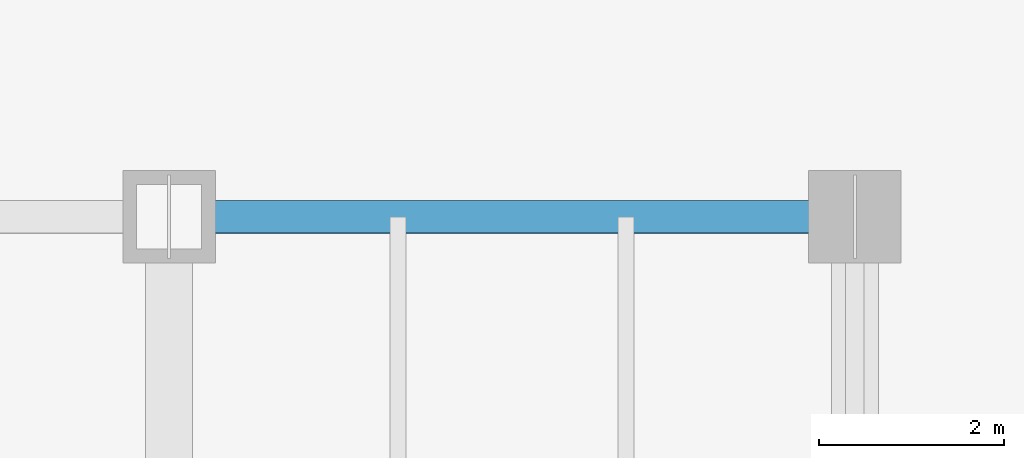
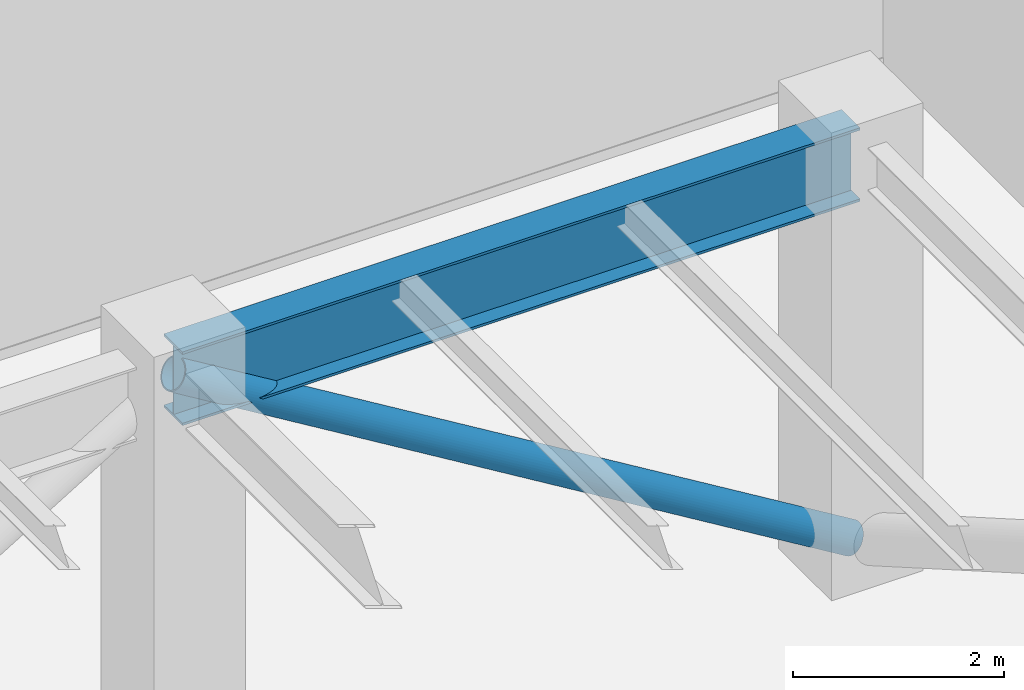
# One storey, part 21 of 38: 1 beam, 1 member.
"""IFC4 building model written with IfcOpenShell, lengths in metres."""

from ifc_helpers import new_model, si_unit, direction, frame, origin, origin_2d, place, context, subcontext, project, spatial, hollow_circle, i_section, extrude, source, transform, mapped, material, material_profile, profile_set, type_object, type_shapes, element, save


model = new_model("IFC4")

# Units and contexts
model_context = context("Model", 3, precision=1e-05, world=origin(), true_north=direction((0.0, 1.0)))
body_context = subcontext(model_context, "Body", "Model", "MODEL_VIEW")
ifc_project = project(units=[si_unit("LENGTHUNIT", "METRE"), si_unit("AREAUNIT", "SQUARE_METRE"), si_unit("VOLUMEUNIT", "CUBIC_METRE"), si_unit("PLANEANGLEUNIT", "RADIAN"), si_unit("MASSUNIT", "GRAM", prefix="KILO")], contexts=[model_context])

# Site, building, storey
site_placement = place(None, origin())
site = spatial("IfcSite", under=ifc_project, at=site_placement, CompositionType="ELEMENT")
building_placement = place(site_placement, origin())
building = spatial("IfcBuilding", under=site, at=building_placement, Name="Haelvirn Gate Laboratories", CompositionType="ELEMENT")
storey_placement = place(building_placement, frame((0.0, 0.0, 94.89990234375)))
storey = spatial("IfcBuildingStorey", under=building, at=storey_placement, Name="L23", CompositionType="ELEMENT", Elevation=94.89990234375)

# Beam
ifc_material_1 = material(Name="Steel SM420", Category="steel")
ifc_material_profile_1 = material_profile(ifc_material_1, i_section(OverallWidth=0.35009765625, OverallDepth=0.85009765625, WebThickness=0.01611328125, FlangeThickness=0.028076171875, at=origin_2d()), Name="H-850x350x16x28")
ifc_profile_set_1 = profile_set([ifc_material_profile_1], Name="Steel SM420")
beam_type = type_object("IfcBeamType", Name="BM-AG-850", PredefinedType="BEAM", material=ifc_profile_set_1)
shared_shape_1 = source(origin(), body_context, "Body", "SweptSolid", [
    extrude(i_section(OverallWidth=0.35009765625, OverallDepth=0.85009765625, WebThickness=0.01611328125, FlangeThickness=0.028076171875, at=origin_2d()), origin(), (0.0, 0.0, 1.0), 7.39990234375),
])
type_shapes(beam_type, [shared_shape_1])
beam_placement = place(storey_placement, frame((60.0, 41.60009765625, 4.6650390625), z_axis=(1.0, 0.0, 0.0), x_axis=(0.0, 1.0, 0.0)))
element("IfcBeam", 1, at=beam_placement, inside=storey, type_object=beam_type, Name="L23 Primary Girder Y41.6 (60.0-67.4)", PredefinedType="BEAM", context=body_context, shape_type="MappedRepresentation", body=[
    mapped(shared_shape_1, transform((0.0, 0.0, 0.0), scale=1.0)),
])

# Member
ifc_material_2 = material(Name="Steel SM355", Category="steel")
ifc_material_profile_2 = material_profile(ifc_material_2, hollow_circle(Radius=0.177734375, WallThickness=0.013916015625, at=origin_2d()), Name="CHS-355x14")
ifc_profile_set_2 = profile_set([ifc_material_profile_2], Name="Steel SM355")
member_type = type_object("IfcMemberType", Name="MEM-BELT-1", PredefinedType="STRUT", material=ifc_profile_set_2)
shared_shape_2 = source(origin(), body_context, "Body", "SweptSolid", [
    extrude(hollow_circle(Radius=0.177734375, WallThickness=0.013916015625, at=origin_2d()), origin(), (0.0, 0.0, 1.0), 8.655517578125),
])
type_shapes(member_type, [shared_shape_2])
member_placement = place(storey_placement, frame((60.0, 41.60009765625, 4.739990234375), z_axis=(0.854931378918, 0.0, -0.518741108205), x_axis=(0.0, 1.0, 0.0)))
element("IfcMember", 2, at=member_placement, inside=storey, type_object=member_type, Name="L23 Perimeter Belt Truss N8", PredefinedType="STRUT", context=body_context, shape_type="MappedRepresentation", body=[
    mapped(shared_shape_2, transform((0.0, 0.0, 0.0), scale=1.0)),
])

save(model, "model.ifc")
